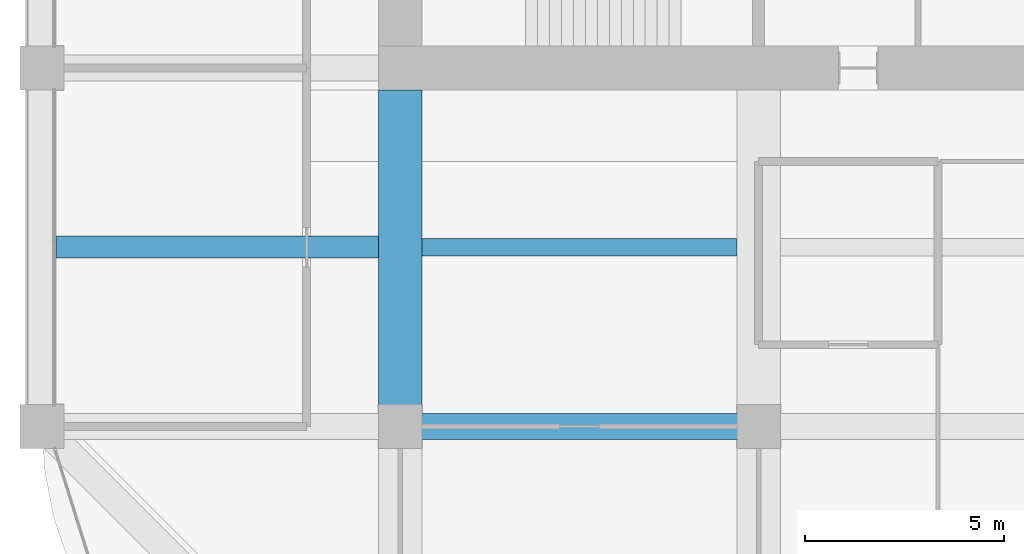
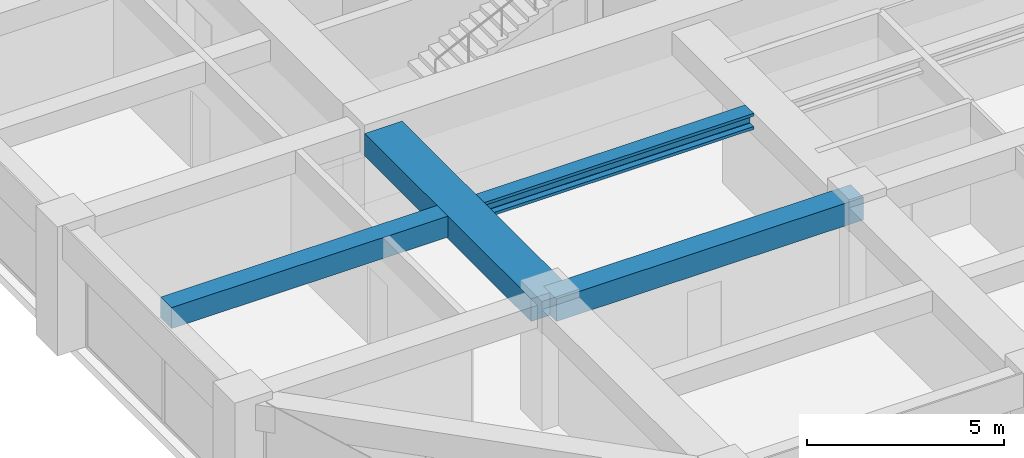
# One storey, part 8 of 44: 4 beams.
"""IFC4 building model written with IfcOpenShell, lengths in metres."""

from ifc_helpers import new_model, si_unit, direction, frame, origin, origin_2d, place, context, subcontext, project, spatial, rectangle, i_section, extrude, material, material_profile, profile_set, type_object, element, save


model = new_model("IFC4")

# Units and contexts
model_context = context("Model", 3, precision=1e-05, world=origin(), true_north=direction((0.0, 1.0)))
body_context = subcontext(model_context, "Body", "Model", "MODEL_VIEW")
ifc_project = project(units=[si_unit("LENGTHUNIT", "METRE"), si_unit("AREAUNIT", "SQUARE_METRE"), si_unit("VOLUMEUNIT", "CUBIC_METRE"), si_unit("PLANEANGLEUNIT", "RADIAN"), si_unit("MASSUNIT", "GRAM", prefix="KILO")], contexts=[model_context])

# Site, building, storey
site_placement = place(None, origin())
site = spatial("IfcSite", under=ifc_project, at=site_placement, CompositionType="ELEMENT")
building_placement = place(site_placement, origin())
building = spatial("IfcBuilding", under=site, at=building_placement, Name="Zorevar Civic Tower", CompositionType="ELEMENT")
storey_placement = place(building_placement, frame((0.0, 0.0, 267.39990234375)))
storey = spatial("IfcBuildingStorey", under=building, at=storey_placement, Name="L65", CompositionType="ELEMENT", Elevation=267.39990234375)

# Beams
ifc_material_1 = material(Name="Concrete C50/60", Category="concrete")
ifc_material_profile_1 = material_profile(ifc_material_1, rectangle(XDim=1.10009765625, YDim=0.699951171875, at=origin_2d()), Name="RC 1100x700")
ifc_profile_set_1 = profile_set([ifc_material_profile_1], Name="Concrete C50/60")
beam_type_1 = type_object("IfcBeamType", Name="Beam RC 1100x700", PredefinedType="BEAM", material=ifc_profile_set_1)
beam_1_placement = place(storey_placement, frame((18.0, 9.0, 3.400146484375), z_axis=(0.0, 1.0, 0.0), x_axis=(-1.0, 0.0, 0.0)))
element("IfcBeam", 1, at=beam_1_placement, inside=storey, type_object=beam_type_1, Name="Girder L66", PredefinedType="BEAM", context=body_context, shape_type="SweptSolid", body=[
    extrude(rectangle(XDim=1.10009765625, YDim=0.699951171875, at=origin_2d()), origin(), (0.0, 0.0, 1.0), 8.449951171875),
])
ifc_material_2 = material(Name="Concrete C50/60", Category="concrete")
ifc_material_profile_2 = material_profile(ifc_material_2, rectangle(XDim=0.550048828125, YDim=0.64990234375, at=origin_2d()), Name="RC 550x650")
ifc_profile_set_2 = profile_set([ifc_material_profile_2], Name="Concrete C50/60")
beam_type_2 = type_object("IfcBeamType", Name="Beam RC 550x650", PredefinedType="BEAM", material=ifc_profile_set_2)
beam_2_placement = place(storey_placement, frame((9.35009765625, 13.5, 3.425048828125), z_axis=(1.0, 0.0, 0.0), x_axis=(0.0, 1.0, 0.0)))
element("IfcBeam", 2, at=beam_2_placement, inside=storey, type_object=beam_type_2, Name="Secondary beam L66", PredefinedType="BEAM", context=body_context, shape_type="SweptSolid", body=[
    extrude(rectangle(XDim=0.550048828125, YDim=0.64990234375, at=origin_2d()), origin(), (0.0, 0.0, 1.0), 8.099853515625),
])
ifc_material_3 = material(Name="Concrete C50/60", Category="concrete")
ifc_material_profile_3 = material_profile(ifc_material_3, rectangle(XDim=0.64990234375, YDim=0.699951171875, at=origin_2d()), Name="RC 650x700")
ifc_profile_set_3 = profile_set([ifc_material_profile_3], Name="Concrete C50/60")
beam_type_3 = type_object("IfcBeamType", Name="Beam RC 650x700", PredefinedType="BEAM", material=ifc_profile_set_3)
beam_3_placement = place(storey_placement, frame((18.0, 9.0, 3.400146484375), z_axis=(1.0, 0.0, 0.0), x_axis=(0.0, 1.0, 0.0)))
element("IfcBeam", 3, at=beam_3_placement, inside=storey, type_object=beam_type_3, Name="Girder L66", PredefinedType="BEAM", context=body_context, shape_type="SweptSolid", body=[
    extrude(rectangle(XDim=0.64990234375, YDim=0.699951171875, at=origin_2d()), origin(), (0.0, 0.0, 1.0), 9.0),
])
ifc_material_4 = material(Name="Steel S460M (HISTAR 460)", Category="steel")
ifc_material_profile_4 = material_profile(ifc_material_4, i_section(OverallWidth=0.431884765625, OverallDepth=0.498046875, WebThickness=0.0556640625, FlangeThickness=0.0888671875, FilletRadius=0.014892578125, at=origin_2d()), Name="HD 400x744")
ifc_profile_set_4 = profile_set([ifc_material_profile_4], Name="Steel S460M (HISTAR 460)")
beam_type_4 = type_object("IfcBeamType", Name="Core bay beam HD 400x744", PredefinedType="BEAM", material=ifc_profile_set_4)
beam_4_placement = place(storey_placement, frame((18.550048828125, 13.5, 3.5009765625), z_axis=(1.0, 0.0, 0.0), x_axis=(0.0, 1.0, 0.0)))
element("IfcBeam", 4, at=beam_4_placement, inside=storey, type_object=beam_type_4, Name="Secondary beam L66", PredefinedType="BEAM", context=body_context, shape_type="SweptSolid", body=[
    extrude(i_section(OverallWidth=0.431884765625, OverallDepth=0.498046875, WebThickness=0.0556640625, FlangeThickness=0.0888671875, FilletRadius=0.014892578125, at=origin_2d()), origin(), (0.0, 0.0, 1.0), 7.89990234375),
])

save(model, "model.ifc")
